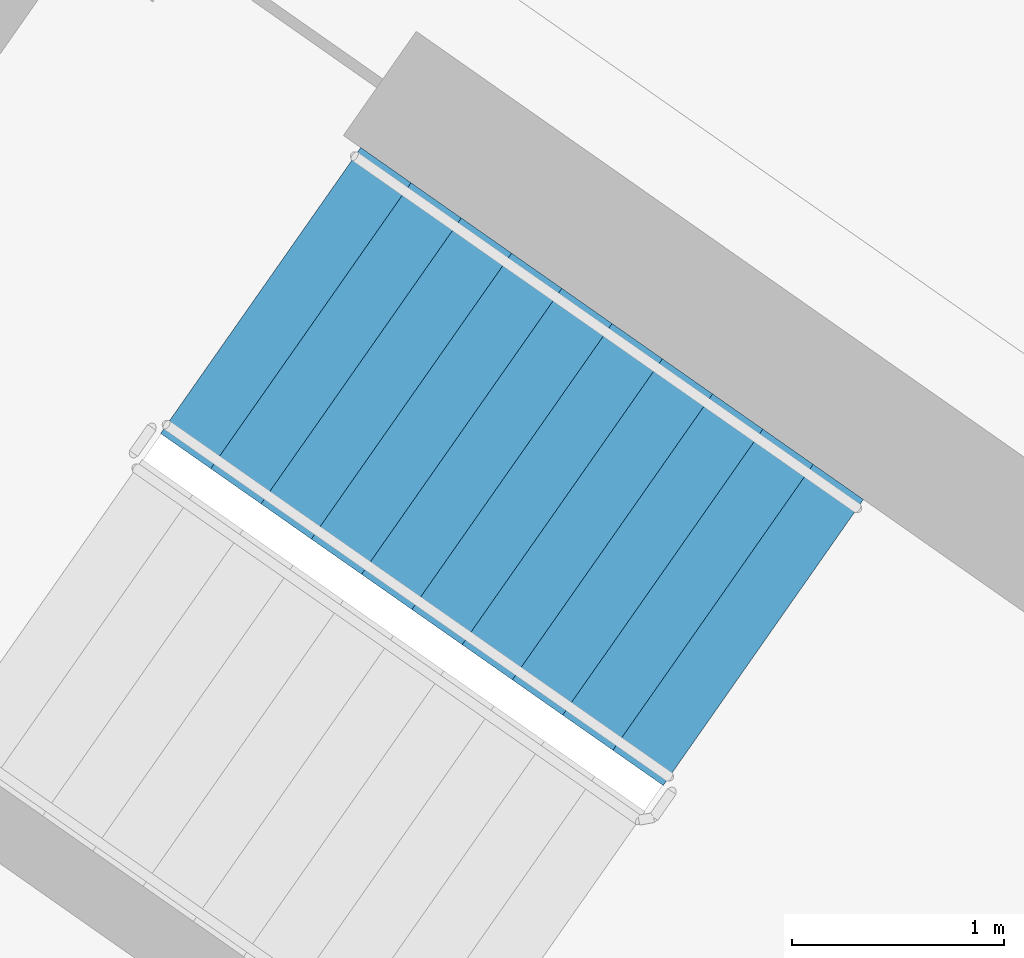
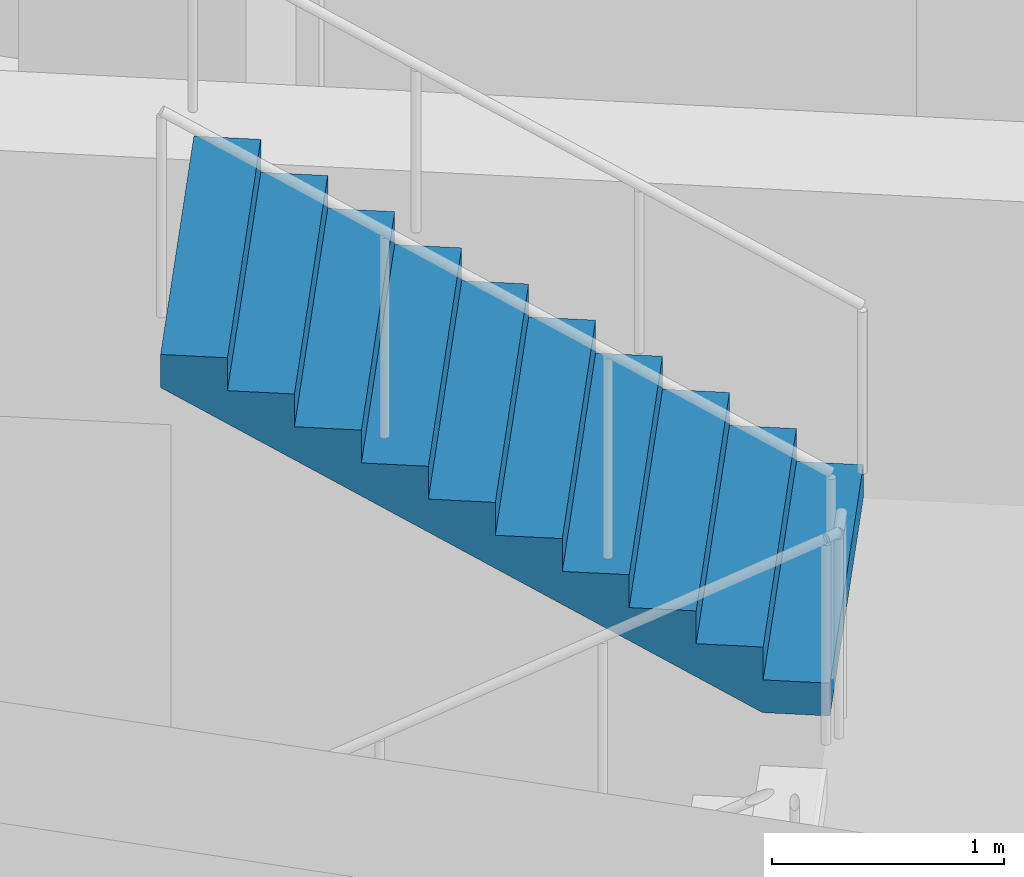
# One storey, part 12 of 27: 1 stair flight, 1 element without a shape of its own.
"""IFC4 building model written with IfcOpenShell, lengths in metres."""

from ifc_helpers import new_model, si_unit, direction, frame, origin, place, context, subcontext, project, spatial, faceted_brep, material, type_object, element, aggregate, save


model = new_model("IFC4")

# Units and contexts
model_context = context("Model", 3, precision=1e-05, world=origin(), true_north=direction((0.0, 1.0)))
body_context = subcontext(model_context, "Body", "Model", "MODEL_VIEW")
ifc_project = project(units=[si_unit("LENGTHUNIT", "METRE"), si_unit("AREAUNIT", "SQUARE_METRE"), si_unit("VOLUMEUNIT", "CUBIC_METRE"), si_unit("PLANEANGLEUNIT", "RADIAN"), si_unit("MASSUNIT", "GRAM", prefix="KILO")], contexts=[model_context])

# Site, building, storey
site_placement = place(None, origin())
site = spatial("IfcSite", under=ifc_project, at=site_placement, CompositionType="ELEMENT")
building_placement = place(site_placement, origin())
building = spatial("IfcBuilding", under=site, at=building_placement, Name="Qamariyya Broadcast Tower", CompositionType="ELEMENT")
storey_placement = place(building_placement, frame((0.0, 0.0, 237.89990234375)))
storey = spatial("IfcBuildingStorey", under=building, at=storey_placement, Name="L57", CompositionType="ELEMENT", Elevation=237.89990234375)

# Stair, stair flight
ifc_material = material(Name="Concrete C50/60", Category="concrete")
stair_type = type_object("IfcStairType", Name="Exit stair 22 risers of 173 mm", PredefinedType="HALF_TURN_STAIR", material=ifc_material)
stair_placement = place(storey_placement, origin())
stair = element("IfcStair", 1, at=stair_placement, inside=storey, type_object=stair_type, Name="L57 Stair W2", PredefinedType="HALF_TURN_STAIR")
stair_flight_type = type_object("IfcStairFlightType", Name="Exit stair flight 11 risers of 173 mm", PredefinedType="STRAIGHT", material=ifc_material)
stair_flight_placement = place(storey_placement, frame((-38.18310546875, -49.3486328125, 1.900146484375), z_axis=(0.0, 0.0, 1.0), x_axis=(-0.819152044289, 0.573576436351, 0.0)))
stair_flight = element("IfcStairFlight", 2, at=stair_flight_placement, type_object=stair_flight_type, Name="ST-W2 flight 2", NumberOfRisers=11, NumberOfTreads=10, PredefinedType="STRAIGHT", RiserHeight=0.172727273, TreadLength=0.29, context=body_context, shape_type="Brep", body=[
    faceted_brep([(0.0, 0.824951171875, 0.0), (0.0, 0.824951171875, 0.172607421875), (0.2900390625, 0.824951171875, 0.172607421875), (0.2900390625, 0.824951171875, 0.345458984375), (0.580078125, 0.824951171875, 0.345458984375), (0.580078125, 0.824951171875, 0.51806640625), (0.8701171875, 0.824951171875, 0.51806640625), (0.8701171875, 0.824951171875, 0.69091796875), (1.159912109375, 0.824951171875, 0.69091796875), (1.159912109375, 0.824951171875, 0.863525390625), (1.449951171875, 0.824951171875, 0.863525390625), (1.449951171875, 0.824951171875, 1.036376953125), (1.739990234375, 0.824951171875, 1.036376953125), (1.739990234375, 0.824951171875, 1.208984375), (2.030029296875, 0.824951171875, 1.208984375), (2.030029296875, 0.824951171875, 1.3818359375), (2.320068359375, 0.824951171875, 1.3818359375), (2.320068359375, 0.824951171875, 1.554443359375), (2.610107421875, 0.824951171875, 1.554443359375), (2.610107421875, 0.824951171875, 1.727294921875), (2.89990234375, 0.824951171875, 1.727294921875), (2.89990234375, 0.824951171875, 1.552734375), (0.29296875, 0.824951171875, 0.0), (0.29296875, -0.824951171875, 0.0), (2.89990234375, -0.824951171875, 1.552734375), (2.89990234375, -0.824951171875, 1.727294921875), (2.610107421875, -0.824951171875, 1.727294921875), (2.610107421875, -0.824951171875, 1.554443359375), (2.320068359375, -0.824951171875, 1.554443359375), (2.320068359375, -0.824951171875, 1.3818359375), (2.030029296875, -0.824951171875, 1.3818359375), (2.030029296875, -0.824951171875, 1.208984375), (1.739990234375, -0.824951171875, 1.208984375), (1.739990234375, -0.824951171875, 1.036376953125), (1.449951171875, -0.824951171875, 1.036376953125), (1.449951171875, -0.824951171875, 0.863525390625), (1.159912109375, -0.824951171875, 0.863525390625), (1.159912109375, -0.824951171875, 0.69091796875), (0.8701171875, -0.824951171875, 0.69091796875), (0.8701171875, -0.824951171875, 0.51806640625), (0.580078125, -0.824951171875, 0.51806640625), (0.580078125, -0.824951171875, 0.345458984375), (0.2900390625, -0.824951171875, 0.345458984375), (0.2900390625, -0.824951171875, 0.172607421875), (0.0, -0.824951171875, 0.172607421875), (0.0, -0.824951171875, 0.0), (0.0, 0.10009765625, 0.0), (0.0, 0.086669921875, 0.0), (0.0, 0.0732421875, 0.0), (0.0, 0.06005859375, 0.0), (0.0, 0.046630859375, 0.0), (0.0, 0.033447265625, 0.0), (0.0, 0.02001953125, 0.0), (0.0, 0.006591796875, 0.0), (0.0, -0.006591796875, 0.0), (0.0, -0.02001953125, 0.0), (0.0, -0.033447265625, 0.0), (0.0, -0.046630859375, 0.0), (0.0, -0.06005859375, 0.0), (0.0, -0.0732421875, 0.0), (0.0, -0.086669921875, 0.0), (0.0, -0.10009765625, 0.0), (0.0, -0.10009765625, 0.172607421875), (0.0, -0.086669921875, 0.172607421875), (0.0, -0.0732421875, 0.172607421875), (0.0, -0.06005859375, 0.172607421875), (0.0, -0.046630859375, 0.172607421875), (0.0, -0.033447265625, 0.172607421875), (0.0, -0.02001953125, 0.172607421875), (0.0, -0.006591796875, 0.172607421875), (0.0, 0.006591796875, 0.172607421875), (0.0, 0.02001953125, 0.172607421875), (0.0, 0.033447265625, 0.172607421875), (0.0, 0.046630859375, 0.172607421875), (0.0, 0.06005859375, 0.172607421875), (0.0, 0.0732421875, 0.172607421875), (0.0, 0.086669921875, 0.172607421875), (0.0, 0.10009765625, 0.172607421875), (0.2900390625, -0.10009765625, 0.172607421875), (0.2900390625, -0.086669921875, 0.172607421875), (0.2900390625, -0.0732421875, 0.172607421875), (0.2900390625, -0.06005859375, 0.172607421875), (0.2900390625, -0.046630859375, 0.172607421875), (0.2900390625, -0.033447265625, 0.172607421875), (0.2900390625, -0.02001953125, 0.172607421875), (0.2900390625, -0.006591796875, 0.172607421875), (0.2900390625, 0.006591796875, 0.172607421875), (0.2900390625, 0.02001953125, 0.172607421875), (0.2900390625, 0.033447265625, 0.172607421875), (0.2900390625, 0.046630859375, 0.172607421875), (0.2900390625, 0.06005859375, 0.172607421875), (0.2900390625, 0.0732421875, 0.172607421875), (0.2900390625, 0.086669921875, 0.172607421875), (0.2900390625, 0.10009765625, 0.172607421875), (0.2900390625, -0.10009765625, 0.345458984375), (0.2900390625, -0.086669921875, 0.345458984375), (0.2900390625, -0.0732421875, 0.345458984375), (0.2900390625, -0.06005859375, 0.345458984375), (0.2900390625, -0.046630859375, 0.345458984375), (0.2900390625, -0.033447265625, 0.345458984375), (0.2900390625, -0.02001953125, 0.345458984375), (0.2900390625, -0.006591796875, 0.345458984375), (0.2900390625, 0.006591796875, 0.345458984375), (0.2900390625, 0.02001953125, 0.345458984375), (0.2900390625, 0.033447265625, 0.345458984375), (0.2900390625, 0.046630859375, 0.345458984375), (0.2900390625, 0.06005859375, 0.345458984375), (0.2900390625, 0.0732421875, 0.345458984375), (0.2900390625, 0.086669921875, 0.345458984375), (0.2900390625, 0.10009765625, 0.345458984375), (0.580078125, -0.10009765625, 0.345458984375), (0.580078125, -0.086669921875, 0.345458984375), (0.580078125, -0.0732421875, 0.345458984375), (0.580078125, -0.06005859375, 0.345458984375), (0.580078125, -0.046630859375, 0.345458984375), (0.580078125, -0.033447265625, 0.345458984375), (0.580078125, -0.02001953125, 0.345458984375), (0.580078125, -0.006591796875, 0.345458984375), (0.580078125, 0.006591796875, 0.345458984375), (0.580078125, 0.02001953125, 0.345458984375), (0.580078125, 0.033447265625, 0.345458984375), (0.580078125, 0.046630859375, 0.345458984375), (0.580078125, 0.06005859375, 0.345458984375), (0.580078125, 0.0732421875, 0.345458984375), (0.580078125, 0.086669921875, 0.345458984375), (0.580078125, 0.10009765625, 0.345458984375), (0.580078125, -0.10009765625, 0.51806640625), (0.580078125, -0.086669921875, 0.51806640625), (0.580078125, -0.0732421875, 0.51806640625), (0.580078125, -0.06005859375, 0.51806640625), (0.580078125, -0.046630859375, 0.51806640625), (0.580078125, -0.033447265625, 0.51806640625), (0.580078125, -0.02001953125, 0.51806640625), (0.580078125, -0.006591796875, 0.51806640625), (0.580078125, 0.006591796875, 0.51806640625), (0.580078125, 0.02001953125, 0.51806640625), (0.580078125, 0.033447265625, 0.51806640625), (0.580078125, 0.046630859375, 0.51806640625), (0.580078125, 0.06005859375, 0.51806640625), (0.580078125, 0.0732421875, 0.51806640625), (0.580078125, 0.086669921875, 0.51806640625), (0.580078125, 0.10009765625, 0.51806640625), (0.8701171875, -0.10009765625, 0.51806640625), (0.8701171875, -0.086669921875, 0.51806640625), (0.8701171875, -0.0732421875, 0.51806640625), (0.8701171875, -0.06005859375, 0.51806640625), (0.8701171875, -0.046630859375, 0.51806640625), (0.8701171875, -0.033447265625, 0.51806640625), (0.8701171875, -0.02001953125, 0.51806640625), (0.8701171875, -0.006591796875, 0.51806640625), (0.8701171875, 0.006591796875, 0.51806640625), (0.8701171875, 0.02001953125, 0.51806640625), (0.8701171875, 0.033447265625, 0.51806640625), (0.8701171875, 0.046630859375, 0.51806640625), (0.8701171875, 0.06005859375, 0.51806640625), (0.8701171875, 0.0732421875, 0.51806640625), (0.8701171875, 0.086669921875, 0.51806640625), (0.8701171875, 0.10009765625, 0.51806640625), (0.8701171875, -0.10009765625, 0.69091796875), (0.8701171875, -0.086669921875, 0.69091796875), (0.8701171875, -0.0732421875, 0.69091796875), (0.8701171875, -0.06005859375, 0.69091796875), (0.8701171875, -0.046630859375, 0.69091796875), (0.8701171875, -0.033447265625, 0.69091796875), (0.8701171875, -0.02001953125, 0.69091796875), (0.8701171875, -0.006591796875, 0.69091796875), (0.8701171875, 0.006591796875, 0.69091796875), (0.8701171875, 0.02001953125, 0.69091796875), (0.8701171875, 0.033447265625, 0.69091796875), (0.8701171875, 0.046630859375, 0.69091796875), (0.8701171875, 0.06005859375, 0.69091796875), (0.8701171875, 0.0732421875, 0.69091796875), (0.8701171875, 0.086669921875, 0.69091796875), (0.8701171875, 0.10009765625, 0.69091796875), (1.159912109375, -0.10009765625, 0.69091796875), (1.159912109375, -0.086669921875, 0.69091796875), (1.159912109375, -0.0732421875, 0.69091796875), (1.159912109375, -0.06005859375, 0.69091796875), (1.159912109375, -0.046630859375, 0.69091796875), (1.159912109375, -0.033447265625, 0.69091796875), (1.159912109375, -0.02001953125, 0.69091796875), (1.159912109375, -0.006591796875, 0.69091796875), (1.159912109375, 0.006591796875, 0.69091796875), (1.159912109375, 0.02001953125, 0.69091796875), (1.159912109375, 0.033447265625, 0.69091796875), (1.159912109375, 0.046630859375, 0.69091796875), (1.159912109375, 0.06005859375, 0.69091796875), (1.159912109375, 0.0732421875, 0.69091796875), (1.159912109375, 0.086669921875, 0.69091796875), (1.159912109375, 0.10009765625, 0.69091796875), (1.159912109375, -0.10009765625, 0.863525390625), (1.159912109375, -0.086669921875, 0.863525390625), (1.159912109375, -0.0732421875, 0.863525390625), (1.159912109375, -0.06005859375, 0.863525390625), (1.159912109375, -0.046630859375, 0.863525390625), (1.159912109375, -0.033447265625, 0.863525390625), (1.159912109375, -0.02001953125, 0.863525390625), (1.159912109375, -0.006591796875, 0.863525390625), (1.159912109375, 0.006591796875, 0.863525390625), (1.159912109375, 0.02001953125, 0.863525390625), (1.159912109375, 0.033447265625, 0.863525390625), (1.159912109375, 0.046630859375, 0.863525390625), (1.159912109375, 0.06005859375, 0.863525390625), (1.159912109375, 0.0732421875, 0.863525390625), (1.159912109375, 0.086669921875, 0.863525390625), (1.159912109375, 0.10009765625, 0.863525390625), (1.449951171875, -0.10009765625, 0.863525390625), (1.449951171875, -0.086669921875, 0.863525390625), (1.449951171875, -0.0732421875, 0.863525390625), (1.449951171875, -0.06005859375, 0.863525390625), (1.449951171875, -0.046630859375, 0.863525390625), (1.449951171875, -0.033447265625, 0.863525390625), (1.449951171875, -0.02001953125, 0.863525390625), (1.449951171875, -0.006591796875, 0.863525390625), (1.449951171875, 0.006591796875, 0.863525390625), (1.449951171875, 0.02001953125, 0.863525390625), (1.449951171875, 0.033447265625, 0.863525390625), (1.449951171875, 0.046630859375, 0.863525390625), (1.449951171875, 0.06005859375, 0.863525390625), (1.449951171875, 0.0732421875, 0.863525390625), (1.449951171875, 0.086669921875, 0.863525390625), (1.449951171875, 0.10009765625, 0.863525390625), (1.449951171875, -0.10009765625, 1.036376953125), (1.449951171875, -0.086669921875, 1.036376953125), (1.449951171875, -0.0732421875, 1.036376953125), (1.449951171875, -0.06005859375, 1.036376953125), (1.449951171875, -0.046630859375, 1.036376953125), (1.449951171875, -0.033447265625, 1.036376953125), (1.449951171875, -0.02001953125, 1.036376953125), (1.449951171875, -0.006591796875, 1.036376953125), (1.449951171875, 0.006591796875, 1.036376953125), (1.449951171875, 0.02001953125, 1.036376953125), (1.449951171875, 0.033447265625, 1.036376953125), (1.449951171875, 0.046630859375, 1.036376953125), (1.449951171875, 0.06005859375, 1.036376953125), (1.449951171875, 0.0732421875, 1.036376953125), (1.449951171875, 0.086669921875, 1.036376953125), (1.449951171875, 0.10009765625, 1.036376953125), (1.739990234375, -0.10009765625, 1.036376953125), (1.739990234375, -0.086669921875, 1.036376953125), (1.739990234375, -0.0732421875, 1.036376953125), (1.739990234375, -0.06005859375, 1.036376953125), (1.739990234375, -0.046630859375, 1.036376953125), (1.739990234375, -0.033447265625, 1.036376953125), (1.739990234375, -0.02001953125, 1.036376953125), (1.739990234375, -0.006591796875, 1.036376953125), (1.739990234375, 0.006591796875, 1.036376953125), (1.739990234375, 0.02001953125, 1.036376953125), (1.739990234375, 0.033447265625, 1.036376953125), (1.739990234375, 0.046630859375, 1.036376953125), (1.739990234375, 0.06005859375, 1.036376953125), (1.739990234375, 0.0732421875, 1.036376953125), (1.739990234375, 0.086669921875, 1.036376953125), (1.739990234375, 0.10009765625, 1.036376953125), (1.739990234375, -0.10009765625, 1.208984375), (1.739990234375, -0.086669921875, 1.208984375), (1.739990234375, -0.0732421875, 1.208984375), (1.739990234375, -0.06005859375, 1.208984375), (1.739990234375, -0.046630859375, 1.208984375), (1.739990234375, -0.033447265625, 1.208984375), (1.739990234375, -0.02001953125, 1.208984375), (1.739990234375, -0.006591796875, 1.208984375), (1.739990234375, 0.006591796875, 1.208984375), (1.739990234375, 0.02001953125, 1.208984375), (1.739990234375, 0.033447265625, 1.208984375), (1.739990234375, 0.046630859375, 1.208984375), (1.739990234375, 0.06005859375, 1.208984375), (1.739990234375, 0.0732421875, 1.208984375), (1.739990234375, 0.086669921875, 1.208984375), (1.739990234375, 0.10009765625, 1.208984375), (2.030029296875, -0.10009765625, 1.208984375), (2.030029296875, -0.086669921875, 1.208984375), (2.030029296875, -0.0732421875, 1.208984375), (2.030029296875, -0.06005859375, 1.208984375), (2.030029296875, -0.046630859375, 1.208984375), (2.030029296875, -0.033447265625, 1.208984375), (2.030029296875, -0.02001953125, 1.208984375), (2.030029296875, -0.006591796875, 1.208984375), (2.030029296875, 0.006591796875, 1.208984375), (2.030029296875, 0.02001953125, 1.208984375), (2.030029296875, 0.033447265625, 1.208984375), (2.030029296875, 0.046630859375, 1.208984375), (2.030029296875, 0.06005859375, 1.208984375), (2.030029296875, 0.0732421875, 1.208984375), (2.030029296875, 0.086669921875, 1.208984375), (2.030029296875, 0.10009765625, 1.208984375), (2.030029296875, -0.10009765625, 1.3818359375), (2.030029296875, -0.086669921875, 1.3818359375), (2.030029296875, -0.0732421875, 1.3818359375), (2.030029296875, -0.06005859375, 1.3818359375), (2.030029296875, -0.046630859375, 1.3818359375), (2.030029296875, -0.033447265625, 1.3818359375), (2.030029296875, -0.02001953125, 1.3818359375), (2.030029296875, -0.006591796875, 1.3818359375), (2.030029296875, 0.006591796875, 1.3818359375), (2.030029296875, 0.02001953125, 1.3818359375), (2.030029296875, 0.033447265625, 1.3818359375), (2.030029296875, 0.046630859375, 1.3818359375), (2.030029296875, 0.06005859375, 1.3818359375), (2.030029296875, 0.0732421875, 1.3818359375), (2.030029296875, 0.086669921875, 1.3818359375), (2.030029296875, 0.10009765625, 1.3818359375), (2.320068359375, -0.10009765625, 1.3818359375), (2.320068359375, -0.086669921875, 1.3818359375), (2.320068359375, -0.0732421875, 1.3818359375), (2.320068359375, -0.06005859375, 1.3818359375), (2.320068359375, -0.046630859375, 1.3818359375), (2.320068359375, -0.033447265625, 1.3818359375), (2.320068359375, -0.02001953125, 1.3818359375), (2.320068359375, -0.006591796875, 1.3818359375), (2.320068359375, 0.006591796875, 1.3818359375), (2.320068359375, 0.02001953125, 1.3818359375), (2.320068359375, 0.033447265625, 1.3818359375), (2.320068359375, 0.046630859375, 1.3818359375), (2.320068359375, 0.06005859375, 1.3818359375), (2.320068359375, 0.0732421875, 1.3818359375), (2.320068359375, 0.086669921875, 1.3818359375), (2.320068359375, 0.10009765625, 1.3818359375), (2.320068359375, -0.10009765625, 1.554443359375), (2.320068359375, -0.086669921875, 1.554443359375), (2.320068359375, -0.0732421875, 1.554443359375), (2.320068359375, -0.06005859375, 1.554443359375), (2.320068359375, -0.046630859375, 1.554443359375), (2.320068359375, -0.033447265625, 1.554443359375), (2.320068359375, -0.02001953125, 1.554443359375), (2.320068359375, -0.006591796875, 1.554443359375), (2.320068359375, 0.006591796875, 1.554443359375), (2.320068359375, 0.02001953125, 1.554443359375), (2.320068359375, 0.033447265625, 1.554443359375), (2.320068359375, 0.046630859375, 1.554443359375), (2.320068359375, 0.06005859375, 1.554443359375), (2.320068359375, 0.0732421875, 1.554443359375), (2.320068359375, 0.086669921875, 1.554443359375), (2.320068359375, 0.10009765625, 1.554443359375), (2.610107421875, -0.10009765625, 1.554443359375), (2.610107421875, -0.086669921875, 1.554443359375), (2.610107421875, -0.0732421875, 1.554443359375), (2.610107421875, -0.06005859375, 1.554443359375), (2.610107421875, -0.046630859375, 1.554443359375), (2.610107421875, -0.033447265625, 1.554443359375), (2.610107421875, -0.02001953125, 1.554443359375), (2.610107421875, -0.006591796875, 1.554443359375), (2.610107421875, 0.006591796875, 1.554443359375), (2.610107421875, 0.02001953125, 1.554443359375), (2.610107421875, 0.033447265625, 1.554443359375), (2.610107421875, 0.046630859375, 1.554443359375), (2.610107421875, 0.06005859375, 1.554443359375), (2.610107421875, 0.0732421875, 1.554443359375), (2.610107421875, 0.086669921875, 1.554443359375), (2.610107421875, 0.10009765625, 1.554443359375), (2.610107421875, -0.10009765625, 1.727294921875), (2.610107421875, -0.086669921875, 1.727294921875), (2.610107421875, -0.0732421875, 1.727294921875), (2.610107421875, -0.06005859375, 1.727294921875), (2.610107421875, -0.046630859375, 1.727294921875), (2.610107421875, -0.033447265625, 1.727294921875), (2.610107421875, -0.02001953125, 1.727294921875), (2.610107421875, -0.006591796875, 1.727294921875), (2.610107421875, 0.006591796875, 1.727294921875), (2.610107421875, 0.02001953125, 1.727294921875), (2.610107421875, 0.033447265625, 1.727294921875), (2.610107421875, 0.046630859375, 1.727294921875), (2.610107421875, 0.06005859375, 1.727294921875), (2.610107421875, 0.0732421875, 1.727294921875), (2.610107421875, 0.086669921875, 1.727294921875), (2.610107421875, 0.10009765625, 1.727294921875), (2.89990234375, -0.10009765625, 1.727294921875), (2.89990234375, -0.086669921875, 1.727294921875), (2.89990234375, -0.0732421875, 1.727294921875), (2.89990234375, -0.06005859375, 1.727294921875), (2.89990234375, -0.046630859375, 1.727294921875), (2.89990234375, -0.033447265625, 1.727294921875), (2.89990234375, -0.02001953125, 1.727294921875), (2.89990234375, -0.006591796875, 1.727294921875), (2.89990234375, 0.006591796875, 1.727294921875), (2.89990234375, 0.02001953125, 1.727294921875), (2.89990234375, 0.033447265625, 1.727294921875), (2.89990234375, 0.046630859375, 1.727294921875), (2.89990234375, 0.06005859375, 1.727294921875), (2.89990234375, 0.0732421875, 1.727294921875), (2.89990234375, 0.086669921875, 1.727294921875), (2.89990234375, 0.10009765625, 1.727294921875), (2.89990234375, -0.10009765625, 1.552734375), (2.89990234375, -0.086669921875, 1.552734375), (2.89990234375, -0.0732421875, 1.552734375), (2.89990234375, -0.06005859375, 1.552734375), (2.89990234375, -0.046630859375, 1.552734375), (2.89990234375, -0.033447265625, 1.552734375), (2.89990234375, -0.02001953125, 1.552734375), (2.89990234375, -0.006591796875, 1.552734375), (2.89990234375, 0.006591796875, 1.552734375), (2.89990234375, 0.02001953125, 1.552734375), (2.89990234375, 0.033447265625, 1.552734375), (2.89990234375, 0.046630859375, 1.552734375), (2.89990234375, 0.06005859375, 1.552734375), (2.89990234375, 0.0732421875, 1.552734375), (2.89990234375, 0.086669921875, 1.552734375), (2.89990234375, 0.10009765625, 1.552734375), (0.29296875, -0.10009765625, 0.0), (0.29296875, -0.086669921875, 0.0), (0.29296875, -0.0732421875, 0.0), (0.29296875, -0.06005859375, 0.0), (0.29296875, -0.046630859375, 0.0), (0.29296875, -0.033447265625, 0.0), (0.29296875, -0.02001953125, 0.0), (0.29296875, -0.006591796875, 0.0), (0.29296875, 0.006591796875, 0.0), (0.29296875, 0.02001953125, 0.0), (0.29296875, 0.033447265625, 0.0), (0.29296875, 0.046630859375, 0.0), (0.29296875, 0.06005859375, 0.0), (0.29296875, 0.0732421875, 0.0), (0.29296875, 0.086669921875, 0.0), (0.29296875, 0.10009765625, 0.0)], [[[0, 1, 2, 3, 4, 5, 6, 7, 8, 9, 10, 11, 12, 13, 14, 15, 16, 17, 18, 19, 20, 21, 22]], [[23, 24, 25, 26, 27, 28, 29, 30, 31, 32, 33, 34, 35, 36, 37, 38, 39, 40, 41, 42, 43, 44, 45]], [[0, 46, 47, 48, 49, 50, 51, 52, 53, 54, 55, 56, 57, 58, 59, 60, 61, 45, 44, 62, 63, 64, 65, 66, 67, 68, 69, 70, 71, 72, 73, 74, 75, 76, 77, 1]], [[1, 77, 76, 75, 74, 73, 72, 71, 70, 69, 68, 67, 66, 65, 64, 63, 62, 44, 43, 78, 79, 80, 81, 82, 83, 84, 85, 86, 87, 88, 89, 90, 91, 92, 93, 2]], [[2, 93, 92, 91, 90, 89, 88, 87, 86, 85, 84, 83, 82, 81, 80, 79, 78, 43, 42, 94, 95, 96, 97, 98, 99, 100, 101, 102, 103, 104, 105, 106, 107, 108, 109, 3]], [[3, 109, 108, 107, 106, 105, 104, 103, 102, 101, 100, 99, 98, 97, 96, 95, 94, 42, 41, 110, 111, 112, 113, 114, 115, 116, 117, 118, 119, 120, 121, 122, 123, 124, 125, 4]], [[4, 125, 124, 123, 122, 121, 120, 119, 118, 117, 116, 115, 114, 113, 112, 111, 110, 41, 40, 126, 127, 128, 129, 130, 131, 132, 133, 134, 135, 136, 137, 138, 139, 140, 141, 5]], [[5, 141, 140, 139, 138, 137, 136, 135, 134, 133, 132, 131, 130, 129, 128, 127, 126, 40, 39, 142, 143, 144, 145, 146, 147, 148, 149, 150, 151, 152, 153, 154, 155, 156, 157, 6]], [[6, 157, 156, 155, 154, 153, 152, 151, 150, 149, 148, 147, 146, 145, 144, 143, 142, 39, 38, 158, 159, 160, 161, 162, 163, 164, 165, 166, 167, 168, 169, 170, 171, 172, 173, 7]], [[7, 173, 172, 171, 170, 169, 168, 167, 166, 165, 164, 163, 162, 161, 160, 159, 158, 38, 37, 174, 175, 176, 177, 178, 179, 180, 181, 182, 183, 184, 185, 186, 187, 188, 189, 8]], [[8, 189, 188, 187, 186, 185, 184, 183, 182, 181, 180, 179, 178, 177, 176, 175, 174, 37, 36, 190, 191, 192, 193, 194, 195, 196, 197, 198, 199, 200, 201, 202, 203, 204, 205, 9]], [[9, 205, 204, 203, 202, 201, 200, 199, 198, 197, 196, 195, 194, 193, 192, 191, 190, 36, 35, 206, 207, 208, 209, 210, 211, 212, 213, 214, 215, 216, 217, 218, 219, 220, 221, 10]], [[10, 221, 220, 219, 218, 217, 216, 215, 214, 213, 212, 211, 210, 209, 208, 207, 206, 35, 34, 222, 223, 224, 225, 226, 227, 228, 229, 230, 231, 232, 233, 234, 235, 236, 237, 11]], [[11, 237, 236, 235, 234, 233, 232, 231, 230, 229, 228, 227, 226, 225, 224, 223, 222, 34, 33, 238, 239, 240, 241, 242, 243, 244, 245, 246, 247, 248, 249, 250, 251, 252, 253, 12]], [[12, 253, 252, 251, 250, 249, 248, 247, 246, 245, 244, 243, 242, 241, 240, 239, 238, 33, 32, 254, 255, 256, 257, 258, 259, 260, 261, 262, 263, 264, 265, 266, 267, 268, 269, 13]], [[13, 269, 268, 267, 266, 265, 264, 263, 262, 261, 260, 259, 258, 257, 256, 255, 254, 32, 31, 270, 271, 272, 273, 274, 275, 276, 277, 278, 279, 280, 281, 282, 283, 284, 285, 14]], [[14, 285, 284, 283, 282, 281, 280, 279, 278, 277, 276, 275, 274, 273, 272, 271, 270, 31, 30, 286, 287, 288, 289, 290, 291, 292, 293, 294, 295, 296, 297, 298, 299, 300, 301, 15]], [[15, 301, 300, 299, 298, 297, 296, 295, 294, 293, 292, 291, 290, 289, 288, 287, 286, 30, 29, 302, 303, 304, 305, 306, 307, 308, 309, 310, 311, 312, 313, 314, 315, 316, 317, 16]], [[16, 317, 316, 315, 314, 313, 312, 311, 310, 309, 308, 307, 306, 305, 304, 303, 302, 29, 28, 318, 319, 320, 321, 322, 323, 324, 325, 326, 327, 328, 329, 330, 331, 332, 333, 17]], [[17, 333, 332, 331, 330, 329, 328, 327, 326, 325, 324, 323, 322, 321, 320, 319, 318, 28, 27, 334, 335, 336, 337, 338, 339, 340, 341, 342, 343, 344, 345, 346, 347, 348, 349, 18]], [[18, 349, 348, 347, 346, 345, 344, 343, 342, 341, 340, 339, 338, 337, 336, 335, 334, 27, 26, 350, 351, 352, 353, 354, 355, 356, 357, 358, 359, 360, 361, 362, 363, 364, 365, 19]], [[19, 365, 364, 363, 362, 361, 360, 359, 358, 357, 356, 355, 354, 353, 352, 351, 350, 26, 25, 366, 367, 368, 369, 370, 371, 372, 373, 374, 375, 376, 377, 378, 379, 380, 381, 20]], [[20, 381, 380, 379, 378, 377, 376, 375, 374, 373, 372, 371, 370, 369, 368, 367, 366, 25, 24, 382, 383, 384, 385, 386, 387, 388, 389, 390, 391, 392, 393, 394, 395, 396, 397, 21]], [[21, 397, 396, 395, 394, 393, 392, 391, 390, 389, 388, 387, 386, 385, 384, 383, 382, 24, 23, 398, 399, 400, 401, 402, 403, 404, 405, 406, 407, 408, 409, 410, 411, 412, 413, 22]], [[22, 413, 412, 411, 410, 409, 408, 407, 406, 405, 404, 403, 402, 401, 400, 399, 398, 23, 45, 61, 60, 59, 58, 57, 56, 55, 54, 53, 52, 51, 50, 49, 48, 47, 46, 0]]]),
])
aggregate(stair, [stair_flight])

save(model, "model.ifc")
